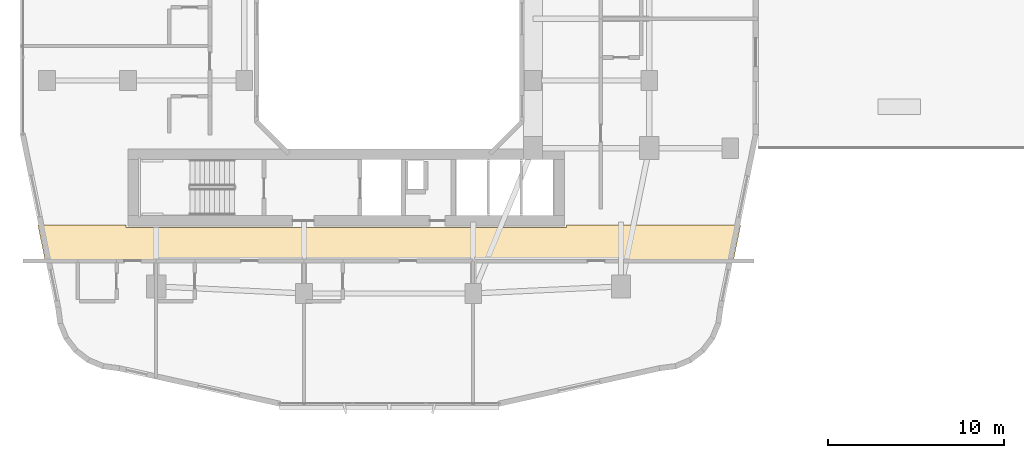
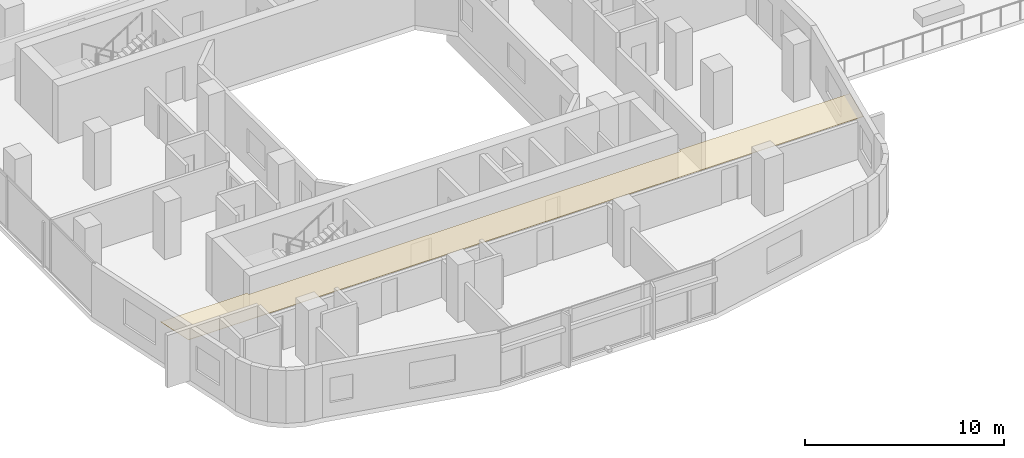
# One storey, part 22 of 25: 1 covering.
"""IFC4 building model written with IfcOpenShell, lengths in metres."""

from ifc_helpers import new_model, si_unit, derived_unit, direction, frame, origin, place, context, subcontext, project, spatial, polyline, outline, extrude, material, layer, layer_set, type_object, element, save


model = new_model("IFC4")

# Units and contexts
model_context = context("Model", 3, precision=1e-05, world=origin(), true_north=direction((0.0, 1.0)))
body_context = subcontext(model_context, "Body", "Model", "MODEL_VIEW")
ifc_project = project(units=[si_unit("LENGTHUNIT", "METRE"), si_unit("AREAUNIT", "SQUARE_METRE"), si_unit("VOLUMEUNIT", "CUBIC_METRE"), si_unit("PLANEANGLEUNIT", "RADIAN"), si_unit("MASSUNIT", "GRAM", prefix="KILO"), derived_unit("THERMALTRANSMITTANCEUNIT", [(si_unit("POWERUNIT", "WATT"), 1), (si_unit("LENGTHUNIT", "METRE"), -2), (si_unit("THERMODYNAMICTEMPERATUREUNIT", "KELVIN"), -1)])], contexts=[model_context])

# Site, building, storey
site_placement = place(None, origin())
site = spatial("IfcSite", under=ifc_project, at=site_placement, CompositionType="ELEMENT")
building_placement = place(site_placement, origin())
building = spatial("IfcBuilding", under=site, at=building_placement, Name="Kivonza Crest Hotel", CompositionType="ELEMENT")
storey_placement = place(building_placement, frame((0.0, 0.0, 24.0)))
storey = spatial("IfcBuildingStorey", under=building, at=storey_placement, Name="L05", CompositionType="ELEMENT", Elevation=24.0)

# Covering
ifc_material = material(Name="Mineral-fibre acoustic ceiling tile", Category="gypsum")
ifc_layer = layer(ifc_material, 0.02490234375)
ifc_layer_set = layer_set([ifc_layer], Name="Mineral-fibre acoustic ceiling tile")
covering_type = type_object("IfcCoveringType", Name="CV-CEIL-ACOU", PredefinedType="CEILING", material=ifc_layer_set)
covering_placement = place(storey_placement, frame((0.0, 0.0, 2.449951171875)))
element("IfcCovering", 1, at=covering_placement, inside=storey, type_object=covering_type, Name="L05 Hotel South Guest Corridor suspended ceiling", PredefinedType="CEILING", context=body_context, shape_type="SweptSolid", body=[
    extrude(outline(polyline([(31.10009765625, 13.2900390625), (31.10009765625, 13.139892578125), (6.10009765625, 13.139892578125), (6.10009765625, 13.280029296875), (1.083984375, 13.280029296875), (1.506103515625, 11.2099609375), (40.573974609375, 11.2099609375), (40.99609375, 13.280029296875), (33.090087890625, 13.280029296875), (33.090087890625, 13.2900390625), (31.10009765625, 13.2900390625)])), origin(), (0.0, 0.0, 1.0), 0.025146484375),
])

save(model, "model.ifc")
